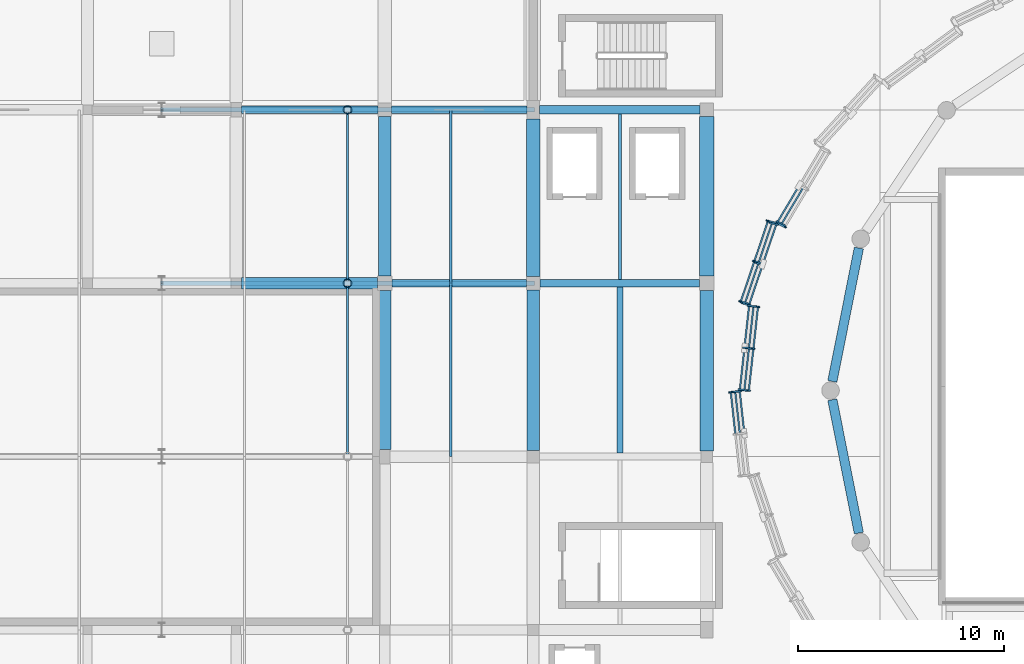
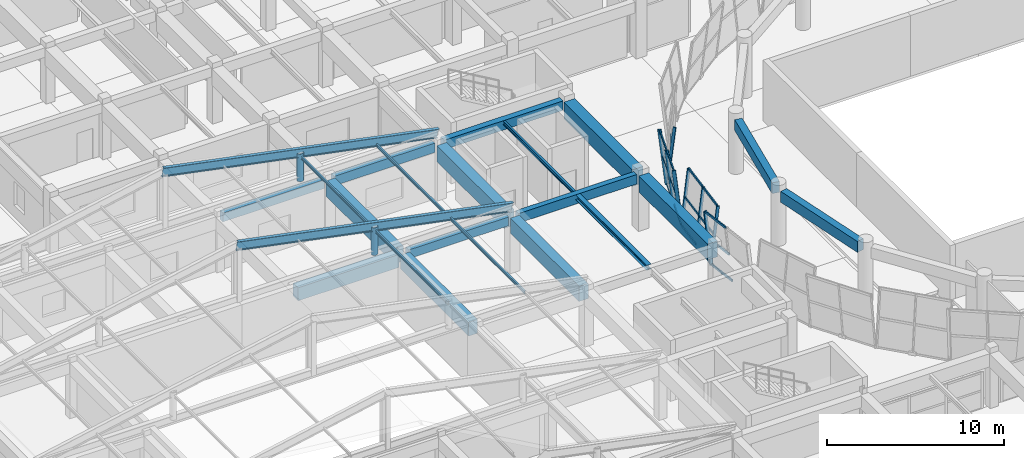
# One storey, part 13 of 74: 33 members, 16 beams, 4 elements without a shape of their own.
"""IFC4 building model written with IfcOpenShell, lengths in metres."""

from ifc_helpers import new_model, si_unit, direction, frame, origin, origin_2d, place, context, subcontext, project, spatial, rectangle, hollow_rectangle, hollow_circle, i_section, extrude, material, material_profile, profile_set, type_object, element, aggregate, save


model = new_model("IFC4")

# Units and contexts
model_context = context("Model", 3, precision=1e-05, world=origin(), true_north=direction((0.0, 1.0)))
body_context = subcontext(model_context, "Body", "Model", "MODEL_VIEW")
ifc_project = project(units=[si_unit("LENGTHUNIT", "METRE"), si_unit("AREAUNIT", "SQUARE_METRE"), si_unit("VOLUMEUNIT", "CUBIC_METRE"), si_unit("PLANEANGLEUNIT", "RADIAN"), si_unit("MASSUNIT", "GRAM", prefix="KILO")], contexts=[model_context])

# Site, building, storey
site_placement = place(None, origin())
site = spatial("IfcSite", under=ifc_project, at=site_placement, CompositionType="ELEMENT")
building_placement = place(site_placement, origin())
building = spatial("IfcBuilding", under=site, at=building_placement, Name="Korsvaeld Concert Hall", CompositionType="ELEMENT")
storey_placement = place(building_placement, frame((0.0, 0.0, 9.0)))
storey = spatial("IfcBuildingStorey", under=building, at=storey_placement, Name="L02", CompositionType="ELEMENT", Elevation=9.0)

# Beams
ifc_material_1 = material(Name="Concrete C35/45", Category="concrete")
ifc_material_profile_1 = material_profile(ifc_material_1, rectangle(XDim=0.35009765625, YDim=0.60009765625, at=origin_2d()), Name="RC 350x600")
ifc_profile_set_1 = profile_set([ifc_material_profile_1], Name="Concrete C35/45")
beam_type_1 = type_object("IfcBeamType", Name="BM-RC-350x600", PredefinedType="T_BEAM", material=ifc_profile_set_1)
beam_1_placement = place(storey_placement, frame((43.550048828125, 68.39990234375, 3.5400390625), z_axis=(1.0, 0.0, 0.0), x_axis=(0.0, 1.0, 0.0)))
element("IfcBeam", 1, at=beam_1_placement, inside=storey, type_object=beam_type_1, Name="Primary girder 7-8/K L02", PredefinedType="T_BEAM", context=body_context, shape_type="SweptSolid", body=[
    extrude(rectangle(XDim=0.35009765625, YDim=0.60009765625, at=origin_2d()), origin(), (0.0, 0.0, 1.0), 6.52490234375),
])
beam_2_placement = place(storey_placement, frame((36.25, 76.800048828125, 3.5400390625), z_axis=(1.0, 0.0, 0.0), x_axis=(0.0, 1.0, 0.0)))
element("IfcBeam", 2, at=beam_2_placement, inside=storey, type_object=beam_type_1, Name="Primary girder 6-7/L L02", PredefinedType="T_BEAM", context=body_context, shape_type="SweptSolid", body=[
    extrude(rectangle(XDim=0.35009765625, YDim=0.60009765625, at=origin_2d()), origin(), (0.0, 0.0, 1.0), 6.625),
])
ifc_material_profile_2 = material_profile(ifc_material_1, rectangle(XDim=0.35009765625, YDim=0.64990234375, at=origin_2d()), Name="RC 350x650")
ifc_profile_set_2 = profile_set([ifc_material_profile_2], Name="Concrete C35/45")
beam_type_2 = type_object("IfcBeamType", Name="BM-RC-350x650", PredefinedType="T_BEAM", material=ifc_profile_set_2)
beam_3_placement = place(storey_placement, frame((50.72509765625, 68.39990234375, 3.514892578125), z_axis=(1.0, 0.0, 0.0), x_axis=(0.0, 1.0, 0.0)))
element("IfcBeam", 3, at=beam_3_placement, inside=storey, type_object=beam_type_2, Name="Primary girder 8-9/K L02", PredefinedType="T_BEAM", context=body_context, shape_type="SweptSolid", body=[
    extrude(rectangle(XDim=0.35009765625, YDim=0.64990234375, at=origin_2d()), origin(), (0.0, 0.0, 1.0), 7.724853515625),
])
beam_4_placement = place(storey_placement, frame((43.52490234375, 76.800048828125, 3.514892578125), z_axis=(1.0, 0.0, 0.0), x_axis=(0.0, 1.0, 0.0)))
element("IfcBeam", 4, at=beam_4_placement, inside=storey, type_object=beam_type_2, Name="Primary girder 7-8/L L02", PredefinedType="T_BEAM", context=body_context, shape_type="SweptSolid", body=[
    extrude(rectangle(XDim=0.35009765625, YDim=0.64990234375, at=origin_2d()), origin(), (0.0, 0.0, 1.0), 6.5751953125),
])
ifc_material_profile_3 = material_profile(ifc_material_1, rectangle(XDim=0.39990234375, YDim=0.64990234375, at=origin_2d()), Name="RC 400x650")
ifc_profile_set_3 = profile_set([ifc_material_profile_3], Name="Concrete C35/45")
beam_type_3 = type_object("IfcBeamType", Name="BM-RC-400x650", PredefinedType="T_BEAM", material=ifc_profile_set_3)
beam_5_placement = place(storey_placement, frame((50.699951171875, 76.800048828125, 3.514892578125), z_axis=(1.0, 0.0, 0.0), x_axis=(0.0, 1.0, 0.0)))
element("IfcBeam", 5, at=beam_5_placement, inside=storey, type_object=beam_type_3, Name="Primary girder 8-9/L L02", PredefinedType="T_BEAM", context=body_context, shape_type="SweptSolid", body=[
    extrude(rectangle(XDim=0.39990234375, YDim=0.64990234375, at=origin_2d()), origin(), (0.0, 0.0, 1.0), 7.775146484375),
])
ifc_material_profile_4 = material_profile(ifc_material_1, rectangle(XDim=0.449951171875, YDim=0.75, at=origin_2d()), Name="RC 450x750")
ifc_profile_set_4 = profile_set([ifc_material_profile_4], Name="Concrete C35/45")
beam_type_4 = type_object("IfcBeamType", Name="BM-RC-450x750", PredefinedType="T_BEAM", material=ifc_profile_set_4)
beam_6_placement = place(storey_placement, frame((66.173583984375, 70.106201171875, 3.465087890625), z_axis=(-0.195083214432, -0.980786694163, 0.0), x_axis=(0.980786694163, -0.195083214432, 0.0)))
element("IfcBeam", 6, at=beam_6_placement, inside=storey, type_object=beam_type_4, Name="Drum ring floor girder L02 08", PredefinedType="T_BEAM", context=body_context, shape_type="SweptSolid", body=[
    extrude(rectangle(XDim=0.449951171875, YDim=0.75, at=origin_2d()), origin(), (0.0, 0.0, 1.0), 6.591552734375),
])
beam_7_placement = place(storey_placement, frame((64.8876953125, 62.758544921875, 3.465087890625), z_axis=(0.195090301499, -0.980785284484, 0.0), x_axis=(0.980785284484, 0.195090301499, 0.0)))
element("IfcBeam", 7, at=beam_7_placement, inside=storey, type_object=beam_type_4, Name="Drum ring floor girder L02 09", PredefinedType="T_BEAM", context=body_context, shape_type="SweptSolid", body=[
    extrude(rectangle(XDim=0.449951171875, YDim=0.75, at=origin_2d()), origin(), (0.0, 0.0, 1.0), 6.59130859375),
])
ifc_material_2 = material(Name="Concrete C40/50", Category="concrete")
ifc_material_profile_5 = material_profile(ifc_material_2, rectangle(XDim=0.550048828125, YDim=0.89990234375, at=origin_2d()), Name="RC 550x900")
ifc_profile_set_5 = profile_set([ifc_material_profile_5], Name="Concrete C40/50")
beam_type_5 = type_object("IfcBeamType", Name="BM-RC-550x900", PredefinedType="T_BEAM", material=ifc_profile_set_5)
beam_8_placement = place(storey_placement, frame((36.25, 68.39990234375, 3.389892578125), z_axis=(1.0, 0.0, 0.0), x_axis=(0.0, 1.0, 0.0)))
element("IfcBeam", 8, at=beam_8_placement, inside=storey, type_object=beam_type_5, Name="Primary girder 6-7/K L02", PredefinedType="T_BEAM", context=body_context, shape_type="SweptSolid", body=[
    extrude(rectangle(XDim=0.550048828125, YDim=0.89990234375, at=origin_2d()), origin(), (0.0, 0.0, 1.0), 6.60009765625),
])
ifc_material_profile_6 = material_profile(ifc_material_2, rectangle(XDim=0.60009765625, YDim=1.050048828125, at=origin_2d()), Name="RC 600x1050")
ifc_profile_set_6 = profile_set([ifc_material_profile_6], Name="Concrete C40/50")
beam_type_6 = type_object("IfcBeamType", Name="BM-RC-600x1050", PredefinedType="T_BEAM", material=ifc_profile_set_6)
beam_9_placement = place(storey_placement, frame((43.199951171875, 68.75, 3.31494140625), z_axis=(0.0, 1.0, 0.0), x_axis=(-1.0, 0.0, 0.0)))
element("IfcBeam", 9, at=beam_9_placement, inside=storey, type_object=beam_type_6, Name="Primary girder 7/K-L L02", PredefinedType="T_BEAM", context=body_context, shape_type="SweptSolid", body=[
    extrude(rectangle(XDim=0.60009765625, YDim=1.050048828125, at=origin_2d()), origin(), (0.0, 0.0, 1.0), 7.72509765625),
])
beam_10_placement = place(storey_placement, frame((50.39990234375, 60.300048828125, 3.31494140625), z_axis=(0.0, 1.0, 0.0), x_axis=(-1.0, 0.0, 0.0)))
element("IfcBeam", 10, at=beam_10_placement, inside=storey, type_object=beam_type_6, Name="Primary girder 8/J-K L02", PredefinedType="T_BEAM", context=body_context, shape_type="SweptSolid", body=[
    extrude(rectangle(XDim=0.60009765625, YDim=1.050048828125, at=origin_2d()), origin(), (0.0, 0.0, 1.0), 7.77490234375),
])
ifc_material_profile_7 = material_profile(ifc_material_2, rectangle(XDim=0.60009765625, YDim=0.949951171875, at=origin_2d()), Name="RC 600x950")
ifc_profile_set_7 = profile_set([ifc_material_profile_7], Name="Concrete C40/50")
beam_type_7 = type_object("IfcBeamType", Name="BM-RC-600x950", PredefinedType="T_BEAM", material=ifc_profile_set_7)
beam_11_placement = place(storey_placement, frame((43.199951171875, 60.35009765625, 3.364990234375), z_axis=(0.0, 1.0, 0.0), x_axis=(-1.0, 0.0, 0.0)))
element("IfcBeam", 11, at=beam_11_placement, inside=storey, type_object=beam_type_7, Name="Primary girder 7/J-K L02", PredefinedType="T_BEAM", context=body_context, shape_type="SweptSolid", body=[
    extrude(rectangle(XDim=0.60009765625, YDim=0.949951171875, at=origin_2d()), origin(), (0.0, 0.0, 1.0), 7.699951171875),
])
ifc_material_profile_8 = material_profile(ifc_material_2, rectangle(XDim=0.64990234375, YDim=1.10009765625, at=origin_2d()), Name="RC 650x1100")
ifc_profile_set_8 = profile_set([ifc_material_profile_8], Name="Concrete C40/50")
beam_type_8 = type_object("IfcBeamType", Name="BM-RC-650x1100", PredefinedType="T_BEAM", material=ifc_profile_set_8)
beam_12_placement = place(storey_placement, frame((50.39990234375, 68.72509765625, 3.2900390625), z_axis=(0.0, 1.0, 0.0), x_axis=(-1.0, 0.0, 0.0)))
element("IfcBeam", 12, at=beam_12_placement, inside=storey, type_object=beam_type_8, Name="Primary girder 8/K-L L02", PredefinedType="T_BEAM", context=body_context, shape_type="SweptSolid", body=[
    extrude(rectangle(XDim=0.64990234375, YDim=1.10009765625, at=origin_2d()), origin(), (0.0, 0.0, 1.0), 7.625),
])
beam_13_placement = place(storey_placement, frame((58.800048828125, 60.27490234375, 3.2900390625), z_axis=(0.0, 1.0, 0.0), x_axis=(-1.0, 0.0, 0.0)))
element("IfcBeam", 13, at=beam_13_placement, inside=storey, type_object=beam_type_8, Name="Primary girder 9/J-K L02", PredefinedType="T_BEAM", context=body_context, shape_type="SweptSolid", body=[
    extrude(rectangle(XDim=0.64990234375, YDim=1.10009765625, at=origin_2d()), origin(), (0.0, 0.0, 1.0), 7.775146484375),
])
ifc_material_profile_9 = material_profile(ifc_material_2, rectangle(XDim=0.699951171875, YDim=1.14990234375, at=origin_2d()), Name="RC 700x1150")
ifc_profile_set_9 = profile_set([ifc_material_profile_9], Name="Concrete C40/50")
beam_type_9 = type_object("IfcBeamType", Name="BM-RC-700x1150", PredefinedType="T_BEAM", material=ifc_profile_set_9)
beam_14_placement = place(storey_placement, frame((58.800048828125, 68.75, 3.264892578125), z_axis=(0.0, 1.0, 0.0), x_axis=(-1.0, 0.0, 0.0)))
element("IfcBeam", 14, at=beam_14_placement, inside=storey, type_object=beam_type_9, Name="Primary girder 9/K-L L02", PredefinedType="T_BEAM", context=body_context, shape_type="SweptSolid", body=[
    extrude(rectangle(XDim=0.699951171875, YDim=1.14990234375, at=origin_2d()), origin(), (0.0, 0.0, 1.0), 7.72509765625),
])
ifc_material_3 = material(Name="Steel S355J2", Category="steel")
ifc_material_profile_10 = material_profile(ifc_material_3, i_section(OverallWidth=0.300048828125, OverallDepth=0.35009765625, WebThickness=0.010009765625, FlangeThickness=0.017578125, FilletRadius=0.027099609375, at=origin_2d()), Name="HEA 360")
ifc_profile_set_10 = profile_set([ifc_material_profile_10], Name="Steel S355J2")
beam_type_10 = type_object("IfcBeamType", Name="BM-STL-HEA360", PredefinedType="BEAM", material=ifc_profile_set_10)
beam_15_placement = place(storey_placement, frame((54.60009765625, 60.175048828125, 3.6650390625), z_axis=(0.0, 1.0, 0.0), x_axis=(-1.0, 0.0, 0.0)))
element("IfcBeam", 15, at=beam_15_placement, inside=storey, type_object=beam_type_10, Name="Secondary steel floor beam 8-9/J L02", PredefinedType="BEAM", context=body_context, shape_type="SweptSolid", body=[
    extrude(i_section(OverallWidth=0.300048828125, OverallDepth=0.35009765625, WebThickness=0.010009765625, FlangeThickness=0.017578125, FilletRadius=0.027099609375, at=origin_2d()), origin(), (0.0, 0.0, 1.0), 8.050048828125),
])
ifc_material_profile_11 = material_profile(ifc_material_3, i_section(OverallWidth=0.135009765625, OverallDepth=0.27001953125, WebThickness=0.006591796875, FlangeThickness=0.01025390625, FilletRadius=0.014892578125, at=origin_2d()), Name="IPE 270")
ifc_profile_set_11 = profile_set([ifc_material_profile_11], Name="Steel S355J2")
beam_type_11 = type_object("IfcBeamType", Name="BM-STL-IPE270", PredefinedType="JOIST", material=ifc_profile_set_11)
beam_16_placement = place(storey_placement, frame((54.60009765625, 68.574951171875, 3.705078125), z_axis=(0.0, 1.0, 0.0), x_axis=(-1.0, 0.0, 0.0)))
element("IfcBeam", 16, at=beam_16_placement, inside=storey, type_object=beam_type_11, Name="Secondary steel floor beam 8-9/K L02", PredefinedType="JOIST", context=body_context, shape_type="SweptSolid", body=[
    extrude(i_section(OverallWidth=0.135009765625, OverallDepth=0.27001953125, WebThickness=0.006591796875, FlangeThickness=0.01025390625, FilletRadius=0.014892578125, at=origin_2d()), origin(), (0.0, 0.0, 1.0), 8.025146484375),
])

# Curtain wall, member
ifc_material_4 = material(Name="Anodised bronze and ceramic-fritted safety glass", Category="glass")
curtain_wall_type_1 = type_object("IfcCurtainWallType", Name="CW-TYPE-06", PredefinedType="USERDEFINED", material=ifc_material_4)
curtain_wall_1_placement = place(storey_placement, origin())
curtain_wall_1 = element("IfcCurtainWall", 17, at=curtain_wall_1_placement, inside=storey, type_object=curtain_wall_type_1, Name="Crystal curtain-wall facet L02 F14", ObjectType="CURTAIN WALL", PredefinedType="USERDEFINED")
ifc_material_5 = material(Name="Anodised architectural bronze aluminium", Category="aluminium")
ifc_material_profile_12 = material_profile(ifc_material_5, hollow_rectangle(XDim=0.074951171875, YDim=0.179931640625, WallThickness=0.0048828125, at=origin_2d()), Name="CWM 180x75x5")
ifc_profile_set_12 = profile_set([ifc_material_profile_12], Name="Anodised architectural bronze aluminium")
member_type_1 = type_object("IfcMemberType", Name="CWM-BRONZE-180x75", PredefinedType="MULLION", material=ifc_profile_set_12)
member_1_placement = place(storey_placement, frame((62.215576171875, 71.34521484375, 0.0), z_axis=(0.102033137454, -0.049015918973, 0.993572684079), x_axis=(0.830085566012, 0.554623769939, -0.057882872395)))
member_1 = element("IfcMember", 18, at=member_1_placement, type_object=member_type_1, Name="CW-CRYS-L02-F14 crystal mullion 3", PredefinedType="MULLION", context=body_context, shape_type="SweptSolid", body=[
    extrude(hollow_rectangle(XDim=0.074951171875, YDim=0.179931640625, WallThickness=0.0048828125, at=origin_2d()), origin(), (0.0, 0.0, 1.0), 3.905029296875),
])

# Curtain wall, members
curtain_wall_type_2 = type_object("IfcCurtainWallType", Name="CW-TYPE-08", PredefinedType="USERDEFINED", material=ifc_material_4)
curtain_wall_2_placement = place(storey_placement, origin())
curtain_wall_2 = element("IfcCurtainWall", 19, at=curtain_wall_2_placement, inside=storey, type_object=curtain_wall_type_2, Name="Crystal curtain-wall facet L02 F16", ObjectType="CURTAIN WALL", PredefinedType="USERDEFINED")
member_2_placement = place(storey_placement, frame((60.849365234375, 67.298583984375, 0.0), z_axis=(0.112786273449, -0.00994069705, 0.993569544151), x_axis=(0.195151320057, 0.980695499736, -0.012340951229)))
member_2 = element("IfcMember", 20, at=member_2_placement, type_object=member_type_1, Name="CW-CRYS-L02-F16 crystal mullion 1", PredefinedType="MULLION", context=body_context, shape_type="SweptSolid", body=[
    extrude(hollow_rectangle(XDim=0.074951171875, YDim=0.179931640625, WallThickness=0.0048828125, at=origin_2d()), origin(), (0.0, 0.0, 1.0), 3.905029296875),
])
member_3_placement = place(storey_placement, frame((60.626708984375, 65.26806640625, 0.0), z_axis=(0.112786203132, -0.010003210921, 0.993568924712), x_axis=(0.195690629409, 0.980588019436, -0.012341543691)))
member_3 = element("IfcMember", 21, at=member_3_placement, type_object=member_type_1, Name="CW-CRYS-L02-F16 crystal mullion 2", PredefinedType="MULLION", context=body_context, shape_type="SweptSolid", body=[
    extrude(hollow_rectangle(XDim=0.074951171875, YDim=0.179931640625, WallThickness=0.0048828125, at=origin_2d()), origin(), (0.0, 0.0, 1.0), 3.905029296875),
])
member_4_placement = place(storey_placement, frame((60.404052734375, 63.2373046875, 0.0), z_axis=(0.112786203132, -0.010003210921, 0.993568924712), x_axis=(0.195690629409, 0.980588019436, -0.012341543691)))
member_4 = element("IfcMember", 22, at=member_4_placement, type_object=member_type_1, Name="CW-CRYS-L02-F16 crystal mullion 3", PredefinedType="MULLION", context=body_context, shape_type="SweptSolid", body=[
    extrude(hollow_rectangle(XDim=0.074951171875, YDim=0.179931640625, WallThickness=0.0048828125, at=origin_2d()), origin(), (0.0, 0.0, 1.0), 3.905029296875),
])

curtain_wall_type_3 = type_object("IfcCurtainWallType", Name="CW-TYPE-07", PredefinedType="USERDEFINED", material=ifc_material_4)
curtain_wall_3_placement = place(storey_placement, origin())
curtain_wall_3 = element("IfcCurtainWall", 23, at=curtain_wall_3_placement, inside=storey, type_object=curtain_wall_type_3, Name="Crystal curtain-wall facet L02 F15", ObjectType="CURTAIN WALL", PredefinedType="USERDEFINED")
ifc_material_profile_13 = material_profile(ifc_material_5, hollow_rectangle(XDim=0.074951171875, YDim=0.219970703125, WallThickness=0.006103515625, at=origin_2d()), Name="CWM 220x75x6")
ifc_profile_set_13 = profile_set([ifc_material_profile_13], Name="Anodised architectural bronze aluminium")
member_type_2 = type_object("IfcMemberType", Name="CWM-BRONZE-220x75", PredefinedType="MULLION", material=ifc_profile_set_13)
member_5_placement = place(storey_placement, frame((62.184326171875, 71.27734375, 0.0), z_axis=(-0.109222864708, 0.029759635719, 0.993571703455), x_axis=(-0.555751470455, -0.830559253027, -0.036216436851)))
member_5 = element("IfcMember", 24, at=member_5_placement, type_object=member_type_2, Name="CW-CRYS-L02-F15 crystal mullion 1", PredefinedType="MULLION", context=body_context, shape_type="SweptSolid", body=[
    extrude(hollow_rectangle(XDim=0.074951171875, YDim=0.219970703125, WallThickness=0.006103515625, at=origin_2d()), origin(), (0.0, 0.0, 1.0), 3.905029296875),
])
member_6_placement = place(storey_placement, frame((61.52490234375, 69.324462890625, 0.0), z_axis=(-0.109222864708, 0.029759635719, 0.993571703455), x_axis=(-0.555751470455, -0.830559253027, -0.036216436851)))
member_6 = element("IfcMember", 25, at=member_6_placement, type_object=member_type_2, Name="CW-CRYS-L02-F15 crystal mullion 2", PredefinedType="MULLION", context=body_context, shape_type="SweptSolid", body=[
    extrude(hollow_rectangle(XDim=0.074951171875, YDim=0.219970703125, WallThickness=0.006103515625, at=origin_2d()), origin(), (0.0, 0.0, 1.0), 3.905029296875),
])
member_7_placement = place(storey_placement, frame((60.865478515625, 67.371337890625, 0.0), z_axis=(-0.109222864708, 0.029759635719, 0.993571703455), x_axis=(-0.555751470455, -0.830559253027, -0.036216436851)))
member_7 = element("IfcMember", 26, at=member_7_placement, type_object=member_type_2, Name="CW-CRYS-L02-F15 crystal mullion 3", PredefinedType="MULLION", context=body_context, shape_type="SweptSolid", body=[
    extrude(hollow_rectangle(XDim=0.074951171875, YDim=0.219970703125, WallThickness=0.006103515625, at=origin_2d()), origin(), (0.0, 0.0, 1.0), 3.905029296875),
])

# Curtain wall, member
curtain_wall_type_4 = type_object("IfcCurtainWallType", Name="CW-TYPE-01", PredefinedType="USERDEFINED", material=ifc_material_4)
curtain_wall_4_placement = place(storey_placement, origin())
curtain_wall_4 = element("IfcCurtainWall", 27, at=curtain_wall_4_placement, inside=storey, type_object=curtain_wall_type_4, Name="Crystal curtain-wall facet L02 F17", ObjectType="CURTAIN WALL", PredefinedType="USERDEFINED")
member_8_placement = place(storey_placement, frame((60.404052734375, 63.162841796875, 0.0), z_axis=(-0.112786203132, -0.010003210921, 0.993568924712), x_axis=(0.195690629409, -0.980588019436, 0.012341543691)))
member_8 = element("IfcMember", 28, at=member_8_placement, type_object=member_type_2, Name="CW-CRYS-L02-F17 crystal mullion 1", PredefinedType="MULLION", context=body_context, shape_type="SweptSolid", body=[
    extrude(hollow_rectangle(XDim=0.074951171875, YDim=0.219970703125, WallThickness=0.006103515625, at=origin_2d()), origin(), (0.0, 0.0, 1.0), 3.905029296875),
])

# Member
ifc_material_profile_14 = material_profile(ifc_material_5, hollow_rectangle(XDim=0.074951171875, YDim=0.14990234375, WallThickness=0.0048828125, at=origin_2d()), Name="CWT 150x75x5")
ifc_profile_set_14 = profile_set([ifc_material_profile_14], Name="Anodised architectural bronze aluminium")
member_type_3 = type_object("IfcMemberType", Name="CWT-BRONZE-150x75", PredefinedType="USERDEFINED", material=ifc_profile_set_14)
member_9_placement = place(storey_placement, frame((63.270751953125, 73.11181640625, 0.030029296875), z_axis=(-0.511381861684, -0.859353589357, 0.0), x_axis=(0.859353589357, -0.511381861684, 0.0)))
member_9 = element("IfcMember", 29, at=member_9_placement, type_object=member_type_3, Name="CW-CRYS-L02-F14 crystal transom 2.1", ObjectType="TRANSOM", PredefinedType="USERDEFINED", context=body_context, shape_type="SweptSolid", body=[
    extrude(hollow_rectangle(XDim=0.074951171875, YDim=0.14990234375, WallThickness=0.0048828125, at=origin_2d()), origin(), (0.0, 0.0, 1.0), 2.02001953125),
])

member_10_placement = place(storey_placement, frame((63.467041015625, 73.017578125, 1.93994140625), z_axis=(-0.511381861684, -0.859353589357, 0.0), x_axis=(0.859353589357, -0.511381861684, 0.0)))
member_10 = element("IfcMember", 30, at=member_10_placement, type_object=member_type_3, Name="CW-CRYS-L02-F14 crystal transom 2.2", ObjectType="TRANSOM", PredefinedType="USERDEFINED", context=body_context, shape_type="SweptSolid", body=[
    extrude(hollow_rectangle(XDim=0.074951171875, YDim=0.14990234375, WallThickness=0.0048828125, at=origin_2d()), origin(), (0.0, 0.0, 1.0), 2.02001953125),
])

aggregate(curtain_wall_1, [member_1, member_9, member_10])

member_11_placement = place(storey_placement, frame((62.169189453125, 71.24267578125, 0.030029296875), z_axis=(-0.319949676143, -0.947434538497, 0.0), x_axis=(0.947434538497, -0.319949676143, 0.0)))
member_11 = element("IfcMember", 31, at=member_11_placement, type_object=member_type_3, Name="CW-CRYS-L02-F15 crystal transom 1.1", ObjectType="TRANSOM", PredefinedType="USERDEFINED", context=body_context, shape_type="SweptSolid", body=[
    extrude(hollow_rectangle(XDim=0.074951171875, YDim=0.14990234375, WallThickness=0.0048828125, at=origin_2d()), origin(), (0.0, 0.0, 1.0), 1.986328125),
])

member_12_placement = place(storey_placement, frame((61.959228515625, 71.300048828125, 1.93994140625), z_axis=(-0.319912420616, -0.947447118912, 0.0), x_axis=(0.947447118912, -0.319912420616, 0.0)))
member_12 = element("IfcMember", 32, at=member_12_placement, type_object=member_type_3, Name="CW-CRYS-L02-F15 crystal transom 1.2", ObjectType="TRANSOM", PredefinedType="USERDEFINED", context=body_context, shape_type="SweptSolid", body=[
    extrude(hollow_rectangle(XDim=0.074951171875, YDim=0.14990234375, WallThickness=0.0048828125, at=origin_2d()), origin(), (0.0, 0.0, 1.0), 1.986572265625),
])

member_13_placement = place(storey_placement, frame((61.749267578125, 71.357177734375, 3.85009765625), z_axis=(-0.319949676143, -0.947434538497, 0.0), x_axis=(0.947434538497, -0.319949676143, 0.0)))
member_13 = element("IfcMember", 33, at=member_13_placement, type_object=member_type_3, Name="CW-CRYS-L02-F15 crystal transom 1.3", ObjectType="TRANSOM", PredefinedType="USERDEFINED", context=body_context, shape_type="SweptSolid", body=[
    extrude(hollow_rectangle(XDim=0.074951171875, YDim=0.14990234375, WallThickness=0.0048828125, at=origin_2d()), origin(), (0.0, 0.0, 1.0), 1.986328125),
])

member_14_placement = place(storey_placement, frame((61.509765625, 69.289794921875, 0.030029296875), z_axis=(-0.319949676143, -0.947434538497, 0.0), x_axis=(0.947434538497, -0.319949676143, 0.0)))
member_14 = element("IfcMember", 34, at=member_14_placement, type_object=member_type_3, Name="CW-CRYS-L02-F15 crystal transom 2.1", ObjectType="TRANSOM", PredefinedType="USERDEFINED", context=body_context, shape_type="SweptSolid", body=[
    extrude(hollow_rectangle(XDim=0.074951171875, YDim=0.14990234375, WallThickness=0.0048828125, at=origin_2d()), origin(), (0.0, 0.0, 1.0), 1.986328125),
])

member_15_placement = place(storey_placement, frame((61.2998046875, 69.346923828125, 1.93994140625), z_axis=(-0.319949676143, -0.947434538497, 0.0), x_axis=(0.947434538497, -0.319949676143, 0.0)))
member_15 = element("IfcMember", 35, at=member_15_placement, type_object=member_type_3, Name="CW-CRYS-L02-F15 crystal transom 2.2", ObjectType="TRANSOM", PredefinedType="USERDEFINED", context=body_context, shape_type="SweptSolid", body=[
    extrude(hollow_rectangle(XDim=0.074951171875, YDim=0.14990234375, WallThickness=0.0048828125, at=origin_2d()), origin(), (0.0, 0.0, 1.0), 1.986328125),
])

member_16_placement = place(storey_placement, frame((61.08984375, 69.404296875, 3.85009765625), z_axis=(-0.319912420616, -0.947447118912, 0.0), x_axis=(0.947447118912, -0.319912420616, 0.0)))
member_16 = element("IfcMember", 36, at=member_16_placement, type_object=member_type_3, Name="CW-CRYS-L02-F15 crystal transom 2.3", ObjectType="TRANSOM", PredefinedType="USERDEFINED", context=body_context, shape_type="SweptSolid", body=[
    extrude(hollow_rectangle(XDim=0.074951171875, YDim=0.14990234375, WallThickness=0.0048828125, at=origin_2d()), origin(), (0.0, 0.0, 1.0), 1.986572265625),
])

aggregate(curtain_wall_3, [member_5, member_6, member_7, member_11, member_12, member_13, member_14, member_15, member_16])

member_17_placement = place(storey_placement, frame((60.8486328125, 67.260986328125, 0.030029296875), z_axis=(-0.108933482058, -0.994049041289, 0.0), x_axis=(0.994049041289, -0.108933482058, 0.0)))
member_17 = element("IfcMember", 37, at=member_17_placement, type_object=member_type_3, Name="CW-CRYS-L02-F16 crystal transom 1.1", ObjectType="TRANSOM", PredefinedType="USERDEFINED", context=body_context, shape_type="SweptSolid", body=[
    extrude(hollow_rectangle(XDim=0.074951171875, YDim=0.14990234375, WallThickness=0.0048828125, at=origin_2d()), origin(), (0.0, 0.0, 1.0), 1.9677734375),
])

member_18_placement = place(storey_placement, frame((61.0654296875, 67.241943359375, 1.93994140625), z_axis=(-0.108920048755, -0.994050513294, 0.0), x_axis=(0.994050513294, -0.108920048755, 0.0)))
member_18 = element("IfcMember", 38, at=member_18_placement, type_object=member_type_3, Name="CW-CRYS-L02-F16 crystal transom 1.2", ObjectType="TRANSOM", PredefinedType="USERDEFINED", context=body_context, shape_type="SweptSolid", body=[
    extrude(hollow_rectangle(XDim=0.074951171875, YDim=0.14990234375, WallThickness=0.0048828125, at=origin_2d()), origin(), (0.0, 0.0, 1.0), 1.968017578125),
])

member_19_placement = place(storey_placement, frame((61.2822265625, 67.22265625, 3.85009765625), z_axis=(-0.108933482058, -0.994049041289, 0.0), x_axis=(0.994049041289, -0.108933482058, 0.0)))
member_19 = element("IfcMember", 39, at=member_19_placement, type_object=member_type_3, Name="CW-CRYS-L02-F16 crystal transom 1.3", ObjectType="TRANSOM", PredefinedType="USERDEFINED", context=body_context, shape_type="SweptSolid", body=[
    extrude(hollow_rectangle(XDim=0.074951171875, YDim=0.14990234375, WallThickness=0.0048828125, at=origin_2d()), origin(), (0.0, 0.0, 1.0), 1.9677734375),
])

member_20_placement = place(storey_placement, frame((60.6259765625, 65.23046875, 0.030029296875), z_axis=(-0.108920048755, -0.994050513294, 0.0), x_axis=(0.994050513294, -0.108920048755, 0.0)))
member_20 = element("IfcMember", 40, at=member_20_placement, type_object=member_type_3, Name="CW-CRYS-L02-F16 crystal transom 2.1", ObjectType="TRANSOM", PredefinedType="USERDEFINED", context=body_context, shape_type="SweptSolid", body=[
    extrude(hollow_rectangle(XDim=0.074951171875, YDim=0.14990234375, WallThickness=0.0048828125, at=origin_2d()), origin(), (0.0, 0.0, 1.0), 1.968017578125),
])

member_21_placement = place(storey_placement, frame((60.8427734375, 65.211181640625, 1.93994140625), z_axis=(-0.108933482058, -0.994049041289, 0.0), x_axis=(0.994049041289, -0.108933482058, 0.0)))
member_21 = element("IfcMember", 41, at=member_21_placement, type_object=member_type_3, Name="CW-CRYS-L02-F16 crystal transom 2.2", ObjectType="TRANSOM", PredefinedType="USERDEFINED", context=body_context, shape_type="SweptSolid", body=[
    extrude(hollow_rectangle(XDim=0.074951171875, YDim=0.14990234375, WallThickness=0.0048828125, at=origin_2d()), origin(), (0.0, 0.0, 1.0), 1.9677734375),
])

member_22_placement = place(storey_placement, frame((61.0595703125, 65.19189453125, 3.85009765625), z_axis=(-0.108933482058, -0.994049041289, 0.0), x_axis=(0.994049041289, -0.108933482058, 0.0)))
member_22 = element("IfcMember", 42, at=member_22_placement, type_object=member_type_3, Name="CW-CRYS-L02-F16 crystal transom 2.3", ObjectType="TRANSOM", PredefinedType="USERDEFINED", context=body_context, shape_type="SweptSolid", body=[
    extrude(hollow_rectangle(XDim=0.074951171875, YDim=0.14990234375, WallThickness=0.0048828125, at=origin_2d()), origin(), (0.0, 0.0, 1.0), 1.9677734375),
])

aggregate(curtain_wall_2, [member_2, member_3, member_4, member_17, member_18, member_19, member_20, member_21, member_22])

member_23_placement = place(storey_placement, frame((60.40478515625, 63.125244140625, 0.030029296875), z_axis=(0.108920048755, -0.994050513294, 0.0), x_axis=(0.994050513294, 0.108920048755, 0.0)))
member_23 = element("IfcMember", 43, at=member_23_placement, type_object=member_type_3, Name="CW-CRYS-L02-F17 crystal transom 1.1", ObjectType="TRANSOM", PredefinedType="USERDEFINED", context=body_context, shape_type="SweptSolid", body=[
    extrude(hollow_rectangle(XDim=0.074951171875, YDim=0.14990234375, WallThickness=0.0048828125, at=origin_2d()), origin(), (0.0, 0.0, 1.0), 1.968017578125),
])

member_24_placement = place(storey_placement, frame((60.18798828125, 63.10595703125, 1.93994140625), z_axis=(0.10905607732, -0.99403559896, 0.0), x_axis=(0.99403559896, 0.10905607732, 0.0)))
member_24 = element("IfcMember", 44, at=member_24_placement, type_object=member_type_3, Name="CW-CRYS-L02-F17 crystal transom 1.2", ObjectType="TRANSOM", PredefinedType="USERDEFINED", context=body_context, shape_type="SweptSolid", body=[
    extrude(hollow_rectangle(XDim=0.074951171875, YDim=0.14990234375, WallThickness=0.0048828125, at=origin_2d()), origin(), (0.0, 0.0, 1.0), 1.9677734375),
])

member_25_placement = place(storey_placement, frame((59.97119140625, 63.086669921875, 3.85009765625), z_axis=(0.10905607732, -0.99403559896, 0.0), x_axis=(0.99403559896, 0.10905607732, 0.0)))
member_25 = element("IfcMember", 45, at=member_25_placement, type_object=member_type_3, Name="CW-CRYS-L02-F17 crystal transom 1.3", ObjectType="TRANSOM", PredefinedType="USERDEFINED", context=body_context, shape_type="SweptSolid", body=[
    extrude(hollow_rectangle(XDim=0.074951171875, YDim=0.14990234375, WallThickness=0.0048828125, at=origin_2d()), origin(), (0.0, 0.0, 1.0), 1.9677734375),
])

aggregate(curtain_wall_4, [member_8, member_23, member_24, member_25])

# Members
ifc_material_profile_15 = material_profile(ifc_material_3, i_section(OverallWidth=0.10009765625, OverallDepth=0.199951171875, WebThickness=0.005615234375, FlangeThickness=0.008544921875, FilletRadius=0.011962890625, at=origin_2d()), Name="IPE 200")
ifc_profile_set_15 = profile_set([ifc_material_profile_15], Name="Steel S355J2")
member_type_4 = type_object("IfcMemberType", Name="MEM-PUR-IPE200", PredefinedType="PURLIN", material=ifc_profile_set_15)
member_26_placement = place(storey_placement, frame((41.39990234375, 60.0, 5.89990234375), z_axis=(0.0, 1.0, 0.0), x_axis=(-1.0, 0.0, 0.0)))
element("IfcMember", 46, at=member_26_placement, inside=storey, type_object=member_type_4, Name="Orchestra Rehearsal roof purlin 41.3", PredefinedType="PURLIN", context=body_context, shape_type="SweptSolid", body=[
    extrude(i_section(OverallWidth=0.10009765625, OverallDepth=0.199951171875, WebThickness=0.005615234375, FlangeThickness=0.008544921875, FilletRadius=0.011962890625, at=origin_2d()), origin(), (0.0, 0.0, 1.0), 8.39990234375),
])
member_27_placement = place(storey_placement, frame((41.39990234375, 68.39990234375, 5.89990234375), z_axis=(0.0, 1.0, 0.0), x_axis=(-1.0, 0.0, 0.0)))
element("IfcMember", 47, at=member_27_placement, inside=storey, type_object=member_type_4, Name="Orchestra Rehearsal roof purlin 41.4", PredefinedType="PURLIN", context=body_context, shape_type="SweptSolid", body=[
    extrude(i_section(OverallWidth=0.10009765625, OverallDepth=0.199951171875, WebThickness=0.005615234375, FlangeThickness=0.008544921875, FilletRadius=0.011962890625, at=origin_2d()), origin(), (0.0, 0.0, 1.0), 8.400146484375),
])
member_28_placement = place(storey_placement, frame((46.39990234375, 60.0, 4.89990234375), z_axis=(0.0, 1.0, 0.0), x_axis=(-1.0, 0.0, 0.0)))
element("IfcMember", 48, at=member_28_placement, inside=storey, type_object=member_type_4, Name="Orchestra Rehearsal roof purlin 46.3", PredefinedType="PURLIN", context=body_context, shape_type="SweptSolid", body=[
    extrude(i_section(OverallWidth=0.10009765625, OverallDepth=0.199951171875, WebThickness=0.005615234375, FlangeThickness=0.008544921875, FilletRadius=0.011962890625, at=origin_2d()), origin(), (0.0, 0.0, 1.0), 8.39990234375),
])
member_29_placement = place(storey_placement, frame((46.39990234375, 68.39990234375, 4.89990234375), z_axis=(0.0, 1.0, 0.0), x_axis=(-1.0, 0.0, 0.0)))
element("IfcMember", 49, at=member_29_placement, inside=storey, type_object=member_type_4, Name="Orchestra Rehearsal roof purlin 46.4", PredefinedType="PURLIN", context=body_context, shape_type="SweptSolid", body=[
    extrude(i_section(OverallWidth=0.10009765625, OverallDepth=0.199951171875, WebThickness=0.005615234375, FlangeThickness=0.008544921875, FilletRadius=0.011962890625, at=origin_2d()), origin(), (0.0, 0.0, 1.0), 8.400146484375),
])
ifc_material_profile_16 = material_profile(ifc_material_3, i_section(OverallWidth=0.219970703125, OverallDepth=0.60009765625, WebThickness=0.011962890625, FlangeThickness=0.01904296875, FilletRadius=0.02392578125, at=origin_2d()), Name="IPE 600")
ifc_profile_set_16 = profile_set([ifc_material_profile_16], Name="Steel S355J2")
member_type_5 = type_object("IfcMemberType", Name="MEM-RAF-IPE600", PredefinedType="RAFTER", material=ifc_profile_set_16)
for number, where, z_axis, x_axis, name in (
    (50, (50.39990234375, 68.39990234375, 4.35009765625), (-0.980582210276, 0.0, 0.196108462057), (0.0, -1.0, 0.0), "Orchestra Rehearsal east rafter 4"),
    (51, (50.39990234375, 76.800048828125, 4.35009765625), (-0.980582210276, 0.0, 0.196108462057), (0.0, -1.0, 0.0), "Orchestra Rehearsal east rafter 5"),
):
    element("IfcMember", number, at=place(storey_placement, frame(where, z_axis=z_axis, x_axis=x_axis)), inside=storey, type_object=member_type_5, Name=name, PredefinedType="RAFTER", context=body_context, shape_type="SweptSolid", body=[
        extrude(i_section(OverallWidth=0.219970703125, OverallDepth=0.60009765625, WebThickness=0.011962890625, FlangeThickness=0.01904296875, FilletRadius=0.02392578125, at=origin_2d()), origin(), (0.0, 0.0, 1.0), 18.3564453125),
    ])
ifc_material_profile_17 = material_profile(ifc_material_3, hollow_circle(Radius=0.203125, WallThickness=0.01611328125, at=origin_2d()), Name="CHS 406.4x16")
ifc_profile_set_17 = profile_set([ifc_material_profile_17], Name="Steel S355J2")
member_type_6 = type_object("IfcMemberType", Name="MEM-STR-CHS406", PredefinedType="STRUT", material=ifc_profile_set_17)
for number, where, z_axis, x_axis, name in (
    (52, (41.39990234375, 68.39990234375, 4.25), (0.0, 0.0, 1.0), (1.0, 0.0, 0.0), "Orchestra Rehearsal truss web 4.41"),
    (53, (41.39990234375, 76.800048828125, 4.25), (0.0, 0.0, 1.0), (1.0, 0.0, 0.0), "Orchestra Rehearsal truss web 5.41"),
):
    element("IfcMember", number, at=place(storey_placement, frame(where, z_axis=z_axis, x_axis=x_axis)), inside=storey, type_object=member_type_6, Name=name, PredefinedType="STRUT", context=body_context, shape_type="SweptSolid", body=[
        extrude(hollow_circle(Radius=0.203125, WallThickness=0.01611328125, at=origin_2d()), origin(), (0.0, 0.0, 1.0), 1.89990234375),
    ])

save(model, "model.ifc")
